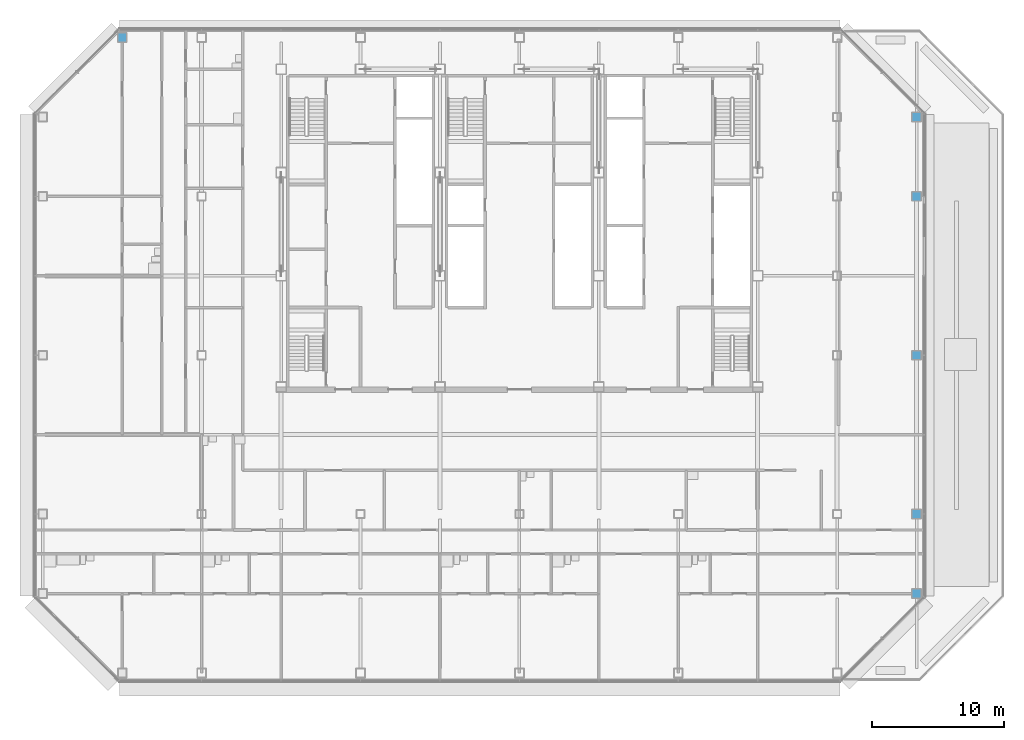
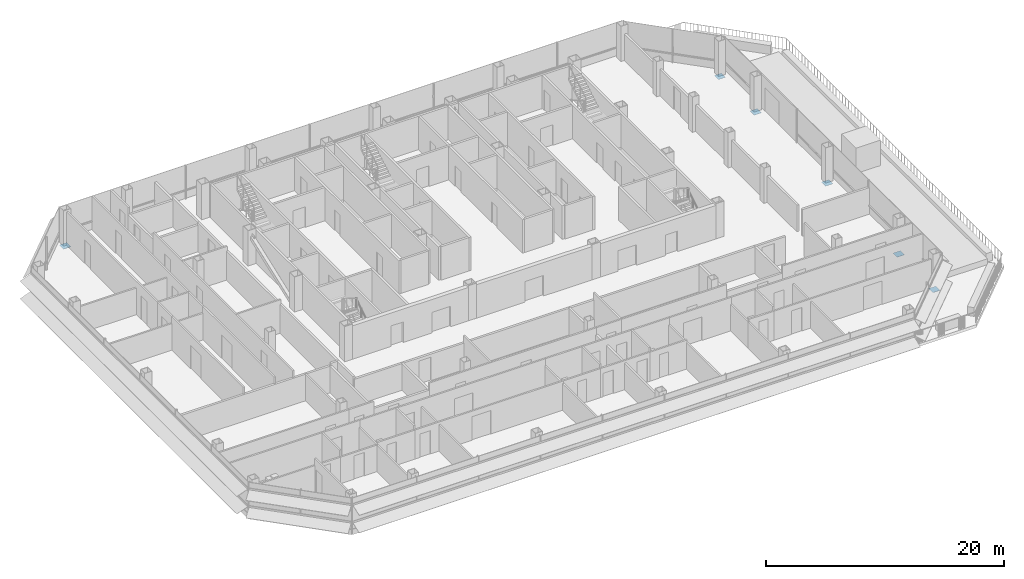
# One storey, part 23 of 27: 6 discrete accessories.
"""IFC4 building model written with IfcOpenShell, lengths in metres."""

from ifc_helpers import new_model, si_unit, direction, frame, origin, origin_2d, place, context, subcontext, project, spatial, rectangle, extrude, material, layer, layer_set, type_object, element, save


model = new_model("IFC4")

# Units and contexts
model_context = context("Model", 3, precision=1e-05, world=origin(), true_north=direction((0.0, 1.0)))
body_context = subcontext(model_context, "Body", "Model", "MODEL_VIEW")
ifc_project = project(units=[si_unit("LENGTHUNIT", "METRE"), si_unit("AREAUNIT", "SQUARE_METRE"), si_unit("VOLUMEUNIT", "CUBIC_METRE"), si_unit("PLANEANGLEUNIT", "RADIAN"), si_unit("MASSUNIT", "GRAM", prefix="KILO")], contexts=[model_context])

# Site, building, storey
site_placement = place(None, origin())
site = spatial("IfcSite", under=ifc_project, at=site_placement, CompositionType="ELEMENT")
building_placement = place(site_placement, origin())
building = spatial("IfcBuilding", under=site, at=building_placement, Name="Sorahane Residences", CompositionType="ELEMENT")
storey_placement = place(building_placement, frame((0.0, 0.0, 192.0)))
storey = spatial("IfcBuildingStorey", under=building, at=storey_placement, Name="L44", CompositionType="ELEMENT", Elevation=192.0)

# Discrete accessories
ifc_material = material(Name="Steel Q355B", Category="steel")
ifc_layer = layer(ifc_material, 0.02001953125)
ifc_layer_set = layer_set([ifc_layer], Name="End plate Steel Q355B 700x700x20")
discrete_accessory_type = type_object("IfcDiscreteAccessoryType", Name="End plate Steel Q355B 700x700x20", PredefinedType="USERDEFINED", material=ifc_layer_set)
for number, where, z_axis, x_axis, name in (
    (1, (54.0, 12.0, -0.320068359375), (0.0, 0.0, 1.0), (1.0, 0.0, 0.0), "End plate L44"),
    (2, (54.0, 24.0, -0.320068359375), (0.0, 0.0, 1.0), (1.0, 0.0, 0.0), "End plate L44"),
    (3, (54.0, 36.0, -0.320068359375), (0.0, 0.0, 1.0), (1.0, 0.0, 0.0), "End plate L44"),
    (4, (54.0, 42.0, -0.320068359375), (0.0, 0.0, 1.0), (1.0, 0.0, 0.0), "End plate L44"),
    (5, (54.0, 6.0, -0.320068359375), (0.0, 0.0, 1.0), (1.0, 0.0, 0.0), "End plate L44"),
    (6, (-6.0, 48.0, -0.320068359375), (0.0, 0.0, 1.0), (1.0, 0.0, 0.0), "End plate L44"),
):
    element("IfcDiscreteAccessory", number, at=place(storey_placement, frame(where, z_axis=z_axis, x_axis=x_axis)), inside=storey, type_object=discrete_accessory_type, Name=name, ObjectType="END PLATE", PredefinedType="USERDEFINED", context=body_context, shape_type="SweptSolid", body=[
        extrude(rectangle(XDim=0.699951171875, YDim=0.699951171875, at=origin_2d()), origin(), (0.0, 0.0, 1.0), 0.02001953125),
    ])

save(model, "model.ifc")
